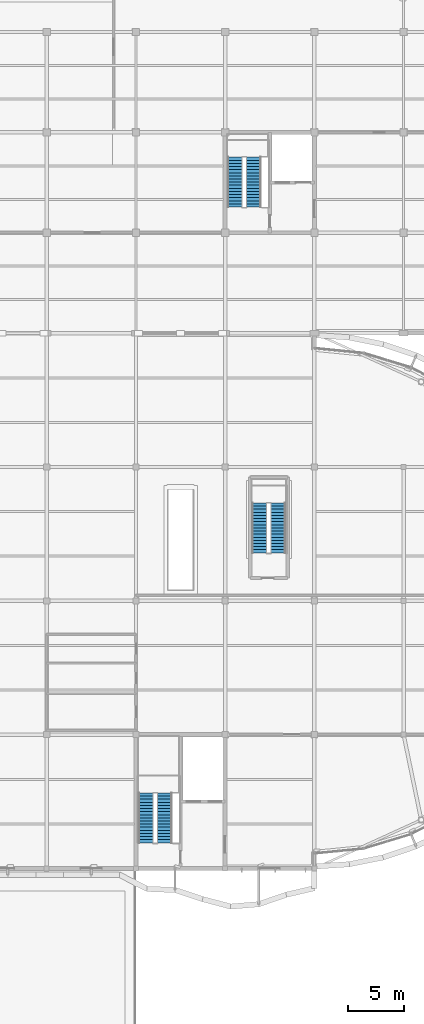
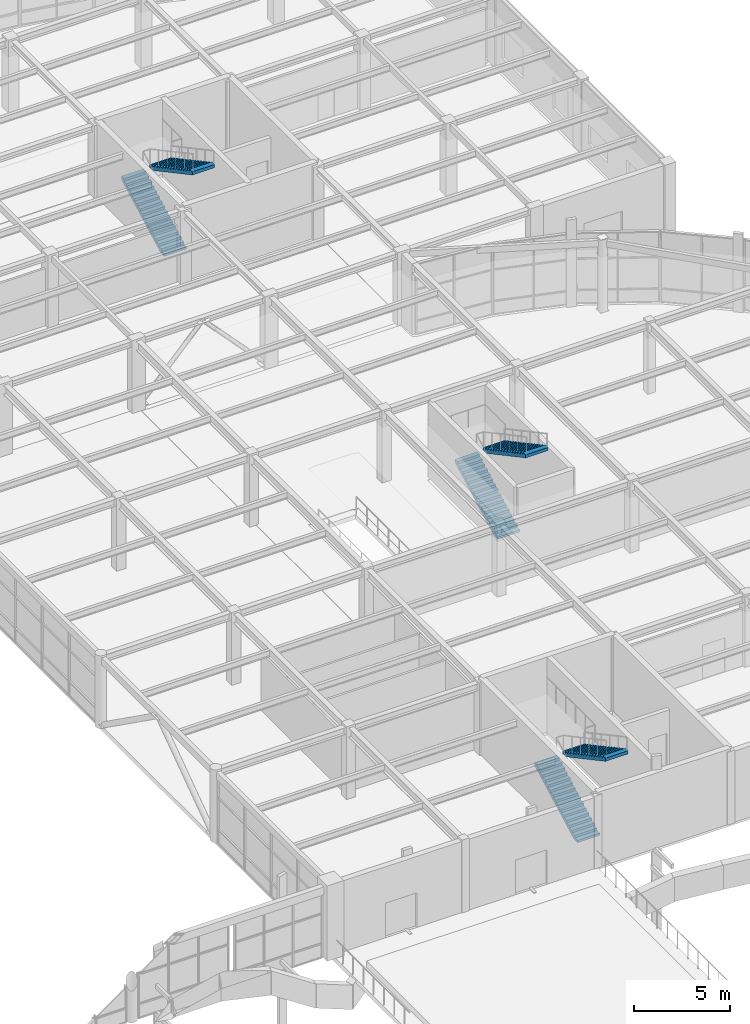
# One storey, part 49 of 63: 6 stair flights, 3 elements without a shape of their own.
"""IFC4 building model written with IfcOpenShell, lengths in metres."""

from ifc_helpers import new_model, si_unit, direction, frame, origin, place, context, subcontext, project, spatial, polyline, outline, extrude, material, type_object, element, aggregate, save


model = new_model("IFC4")

# Units and contexts
model_context = context("Model", 3, precision=1e-05, world=origin(), true_north=direction((0.0, 1.0)))
body_context = subcontext(model_context, "Body", "Model", "MODEL_VIEW")
ifc_project = project(units=[si_unit("LENGTHUNIT", "METRE"), si_unit("AREAUNIT", "SQUARE_METRE"), si_unit("VOLUMEUNIT", "CUBIC_METRE"), si_unit("PLANEANGLEUNIT", "RADIAN"), si_unit("MASSUNIT", "GRAM", prefix="KILO")], contexts=[model_context])

# Site, building, storey
site_placement = place(None, origin())
site = spatial("IfcSite", under=ifc_project, at=site_placement, CompositionType="ELEMENT")
building_placement = place(site_placement, origin())
building = spatial("IfcBuilding", under=site, at=building_placement, Name="Keelwater Ferry Terminal", CompositionType="ELEMENT")
storey_placement = place(building_placement, frame((0.0, 0.0, 10.199951171875)))
storey = spatial("IfcBuildingStorey", under=building, at=storey_placement, Name="L02", CompositionType="ELEMENT", Elevation=10.199951171875)

# Stair, stair flights
ifc_material_1 = material(Name="Concrete C40/50", Category="concrete")
stair_type = type_object("IfcStairType", Name="ST-T02 Half-Turn Stair 1350W 32R", PredefinedType="HALF_TURN_STAIR", material=ifc_material_1)
stair_1_placement = place(storey_placement, origin())
stair_1 = element("IfcStair", 1, at=stair_1_placement, inside=storey, type_object=stair_type, Name="Half-Turn Stair ST-C3-L02", PredefinedType="HALF_TURN_STAIR")
ifc_material_2 = material(Name="Concrete C40/50", Category="concrete")
stair_flight_type = type_object("IfcStairFlightType", Name="FL-T02 Straight Flight 1350W 32R", PredefinedType="STRAIGHT", material=ifc_material_2)
stair_flight_1_placement = place(storey_placement, frame((156.875, 101.300048828125, 0.0), z_axis=(0.0, 0.0, 1.0), x_axis=(0.0, 1.0, 0.0)))
stair_flight_1 = element("IfcStairFlight", 2, at=stair_flight_1_placement, type_object=stair_flight_type, Name="ST-C3-L02 flight 1", NumberOfRisers=16, NumberOfTreads=15, PredefinedType="STRAIGHT", RiserHeight=0.15, TreadLength=0.28, context=body_context, shape_type="SweptSolid", body=[
    extrude(outline(polyline([(0.0, 0.0), (0.0, 0.14990234375), (0.280029296875, 0.14990234375), (0.280029296875, 0.300048828125), (0.56005859375, 0.300048828125), (0.56005859375, 0.449951171875), (0.840087890625, 0.449951171875), (0.840087890625, 0.60009765625), (1.1201171875, 0.60009765625), (1.1201171875, 0.75), (1.39990234375, 0.75), (1.39990234375, 0.89990234375), (1.679931640625, 0.89990234375), (1.679931640625, 1.050048828125), (1.9599609375, 1.050048828125), (1.9599609375, 1.199951171875), (2.239990234375, 1.199951171875), (2.239990234375, 1.35009765625), (2.52001953125, 1.35009765625), (2.52001953125, 1.5), (2.800048828125, 1.5), (2.800048828125, 1.64990234375), (3.080078125, 1.64990234375), (3.080078125, 1.800048828125), (3.360107421875, 1.800048828125), (3.360107421875, 1.949951171875), (3.639892578125, 1.949951171875), (3.639892578125, 2.10009765625), (3.919921875, 2.10009765625), (3.919921875, 2.25), (4.199951171875, 2.25), (4.199951171875, 2.39990234375), (4.47998046875, 2.39990234375), (4.47998046875, 2.19580078125), (0.381103515625, 0.0), (0.0, 0.0)])), frame((0.0, 0.675048828125, 0.0), z_axis=(0.0, -1.0, 0.0), x_axis=(1.0, 0.0, 0.0)), (0.0, 0.0, 1.0), 1.35009765625),
])
stair_flight_2_placement = place(storey_placement, frame((158.56494140625, 105.780029296875, 2.400146484375), z_axis=(0.0, 0.0, 1.0), x_axis=(0.0, -1.0, 0.0)))
stair_flight_2 = element("IfcStairFlight", 3, at=stair_flight_2_placement, type_object=stair_flight_type, Name="ST-C3-L02 flight 2", NumberOfRisers=16, NumberOfTreads=15, PredefinedType="STRAIGHT", RiserHeight=0.15, TreadLength=0.28, context=body_context, shape_type="SweptSolid", body=[
    extrude(outline(polyline([(0.0, 0.0), (0.0, 0.14990234375), (0.280029296875, 0.14990234375), (0.280029296875, 0.300048828125), (0.56005859375, 0.300048828125), (0.56005859375, 0.449951171875), (0.840087890625, 0.449951171875), (0.840087890625, 0.60009765625), (1.1201171875, 0.60009765625), (1.1201171875, 0.75), (1.39990234375, 0.75), (1.39990234375, 0.89990234375), (1.679931640625, 0.89990234375), (1.679931640625, 1.050048828125), (1.9599609375, 1.050048828125), (1.9599609375, 1.199951171875), (2.239990234375, 1.199951171875), (2.239990234375, 1.35009765625), (2.52001953125, 1.35009765625), (2.52001953125, 1.5), (2.800048828125, 1.5), (2.800048828125, 1.64990234375), (3.080078125, 1.64990234375), (3.080078125, 1.800048828125), (3.360107421875, 1.800048828125), (3.360107421875, 1.949951171875), (3.639892578125, 1.949951171875), (3.639892578125, 2.10009765625), (3.919921875, 2.10009765625), (3.919921875, 2.25), (4.199951171875, 2.25), (4.199951171875, 2.39990234375), (4.47998046875, 2.39990234375), (4.47998046875, 2.19580078125), (0.381103515625, 0.0), (0.0, 0.0)])), frame((0.0, 0.675048828125, 0.0), z_axis=(0.0, -1.0, 0.0), x_axis=(1.0, 0.0, 0.0)), (0.0, 0.0, 1.0), 1.35009765625),
])
aggregate(stair_1, [stair_flight_1, stair_flight_2])

stair_2_placement = place(storey_placement, origin())
stair_2 = element("IfcStair", 4, at=stair_2_placement, inside=storey, type_object=stair_type, Name="Half-Turn Stair ST-C4-L02", PredefinedType="HALF_TURN_STAIR")
stair_flight_3_placement = place(storey_placement, frame((148.875, 44.300048828125, 0.0), z_axis=(0.0, 0.0, 1.0), x_axis=(0.0, 1.0, 0.0)))
stair_flight_3 = element("IfcStairFlight", 5, at=stair_flight_3_placement, type_object=stair_flight_type, Name="ST-C4-L02 flight 1", NumberOfRisers=16, NumberOfTreads=15, PredefinedType="STRAIGHT", RiserHeight=0.15, TreadLength=0.28, context=body_context, shape_type="SweptSolid", body=[
    extrude(outline(polyline([(0.0, 0.0), (0.0, 0.14990234375), (0.280029296875, 0.14990234375), (0.280029296875, 0.300048828125), (0.56005859375, 0.300048828125), (0.56005859375, 0.449951171875), (0.840087890625, 0.449951171875), (0.840087890625, 0.60009765625), (1.1201171875, 0.60009765625), (1.1201171875, 0.75), (1.39990234375, 0.75), (1.39990234375, 0.89990234375), (1.679931640625, 0.89990234375), (1.679931640625, 1.050048828125), (1.9599609375, 1.050048828125), (1.9599609375, 1.199951171875), (2.239990234375, 1.199951171875), (2.239990234375, 1.35009765625), (2.52001953125, 1.35009765625), (2.52001953125, 1.5), (2.800048828125, 1.5), (2.800048828125, 1.64990234375), (3.080078125, 1.64990234375), (3.080078125, 1.800048828125), (3.360107421875, 1.800048828125), (3.360107421875, 1.949951171875), (3.639892578125, 1.949951171875), (3.639892578125, 2.10009765625), (3.919921875, 2.10009765625), (3.919921875, 2.25), (4.199951171875, 2.25), (4.199951171875, 2.39990234375), (4.47998046875, 2.39990234375), (4.47998046875, 2.19580078125), (0.381103515625, 0.0), (0.0, 0.0)])), frame((0.0, 0.675048828125, 0.0), z_axis=(0.0, -1.0, 0.0), x_axis=(1.0, 0.0, 0.0)), (0.0, 0.0, 1.0), 1.35009765625),
])
stair_flight_4_placement = place(storey_placement, frame((150.56494140625, 48.780029296875, 2.400146484375), z_axis=(0.0, 0.0, 1.0), x_axis=(0.0, -1.0, 0.0)))
stair_flight_4 = element("IfcStairFlight", 6, at=stair_flight_4_placement, type_object=stair_flight_type, Name="ST-C4-L02 flight 2", NumberOfRisers=16, NumberOfTreads=15, PredefinedType="STRAIGHT", RiserHeight=0.15, TreadLength=0.28, context=body_context, shape_type="SweptSolid", body=[
    extrude(outline(polyline([(0.0, 0.0), (0.0, 0.14990234375), (0.280029296875, 0.14990234375), (0.280029296875, 0.300048828125), (0.56005859375, 0.300048828125), (0.56005859375, 0.449951171875), (0.840087890625, 0.449951171875), (0.840087890625, 0.60009765625), (1.1201171875, 0.60009765625), (1.1201171875, 0.75), (1.39990234375, 0.75), (1.39990234375, 0.89990234375), (1.679931640625, 0.89990234375), (1.679931640625, 1.050048828125), (1.9599609375, 1.050048828125), (1.9599609375, 1.199951171875), (2.239990234375, 1.199951171875), (2.239990234375, 1.35009765625), (2.52001953125, 1.35009765625), (2.52001953125, 1.5), (2.800048828125, 1.5), (2.800048828125, 1.64990234375), (3.080078125, 1.64990234375), (3.080078125, 1.800048828125), (3.360107421875, 1.800048828125), (3.360107421875, 1.949951171875), (3.639892578125, 1.949951171875), (3.639892578125, 2.10009765625), (3.919921875, 2.10009765625), (3.919921875, 2.25), (4.199951171875, 2.25), (4.199951171875, 2.39990234375), (4.47998046875, 2.39990234375), (4.47998046875, 2.19580078125), (0.381103515625, 0.0), (0.0, 0.0)])), frame((0.0, 0.675048828125, 0.0), z_axis=(0.0, -1.0, 0.0), x_axis=(1.0, 0.0, 0.0)), (0.0, 0.0, 1.0), 1.35009765625),
])
aggregate(stair_2, [stair_flight_3, stair_flight_4])

stair_3_placement = place(storey_placement, origin())
stair_3 = element("IfcStair", 7, at=stair_3_placement, inside=storey, type_object=stair_type, Name="Half-Turn Stair ST-E5-L02", PredefinedType="HALF_TURN_STAIR")
stair_flight_5_placement = place(storey_placement, frame((159.074951171875, 70.300048828125, 0.0), z_axis=(0.0, 0.0, 1.0), x_axis=(0.0, 1.0, 0.0)))
stair_flight_5 = element("IfcStairFlight", 8, at=stair_flight_5_placement, type_object=stair_flight_type, Name="ST-E5-L02 flight 1", NumberOfRisers=16, NumberOfTreads=15, PredefinedType="STRAIGHT", RiserHeight=0.15, TreadLength=0.28, context=body_context, shape_type="SweptSolid", body=[
    extrude(outline(polyline([(0.0, 0.0), (0.0, 0.14990234375), (0.280029296875, 0.14990234375), (0.280029296875, 0.300048828125), (0.56005859375, 0.300048828125), (0.56005859375, 0.449951171875), (0.840087890625, 0.449951171875), (0.840087890625, 0.60009765625), (1.1201171875, 0.60009765625), (1.1201171875, 0.75), (1.39990234375, 0.75), (1.39990234375, 0.89990234375), (1.679931640625, 0.89990234375), (1.679931640625, 1.050048828125), (1.9599609375, 1.050048828125), (1.9599609375, 1.199951171875), (2.239990234375, 1.199951171875), (2.239990234375, 1.35009765625), (2.52001953125, 1.35009765625), (2.52001953125, 1.5), (2.800048828125, 1.5), (2.800048828125, 1.64990234375), (3.080078125, 1.64990234375), (3.080078125, 1.800048828125), (3.360107421875, 1.800048828125), (3.360107421875, 1.949951171875), (3.639892578125, 1.949951171875), (3.639892578125, 2.10009765625), (3.919921875, 2.10009765625), (3.919921875, 2.25), (4.199951171875, 2.25), (4.199951171875, 2.39990234375), (4.47998046875, 2.39990234375), (4.47998046875, 2.19580078125), (0.381103515625, 0.0), (0.0, 0.0)])), frame((0.0, 0.675048828125, 0.0), z_axis=(0.0, -1.0, 0.0), x_axis=(1.0, 0.0, 0.0)), (0.0, 0.0, 1.0), 1.35009765625),
])
stair_flight_6_placement = place(storey_placement, frame((160.764892578125, 74.780029296875, 2.400146484375), z_axis=(0.0, 0.0, 1.0), x_axis=(0.0, -1.0, 0.0)))
stair_flight_6 = element("IfcStairFlight", 9, at=stair_flight_6_placement, type_object=stair_flight_type, Name="ST-E5-L02 flight 2", NumberOfRisers=16, NumberOfTreads=15, PredefinedType="STRAIGHT", RiserHeight=0.15, TreadLength=0.28, context=body_context, shape_type="SweptSolid", body=[
    extrude(outline(polyline([(0.0, 0.0), (0.0, 0.14990234375), (0.280029296875, 0.14990234375), (0.280029296875, 0.300048828125), (0.56005859375, 0.300048828125), (0.56005859375, 0.449951171875), (0.840087890625, 0.449951171875), (0.840087890625, 0.60009765625), (1.1201171875, 0.60009765625), (1.1201171875, 0.75), (1.39990234375, 0.75), (1.39990234375, 0.89990234375), (1.679931640625, 0.89990234375), (1.679931640625, 1.050048828125), (1.9599609375, 1.050048828125), (1.9599609375, 1.199951171875), (2.239990234375, 1.199951171875), (2.239990234375, 1.35009765625), (2.52001953125, 1.35009765625), (2.52001953125, 1.5), (2.800048828125, 1.5), (2.800048828125, 1.64990234375), (3.080078125, 1.64990234375), (3.080078125, 1.800048828125), (3.360107421875, 1.800048828125), (3.360107421875, 1.949951171875), (3.639892578125, 1.949951171875), (3.639892578125, 2.10009765625), (3.919921875, 2.10009765625), (3.919921875, 2.25), (4.199951171875, 2.25), (4.199951171875, 2.39990234375), (4.47998046875, 2.39990234375), (4.47998046875, 2.19580078125), (0.381103515625, 0.0), (0.0, 0.0)])), frame((0.0, 0.675048828125, 0.0), z_axis=(0.0, -1.0, 0.0), x_axis=(1.0, 0.0, 0.0)), (0.0, 0.0, 1.0), 1.35009765625),
])
aggregate(stair_3, [stair_flight_5, stair_flight_6])

save(model, "model.ifc")
